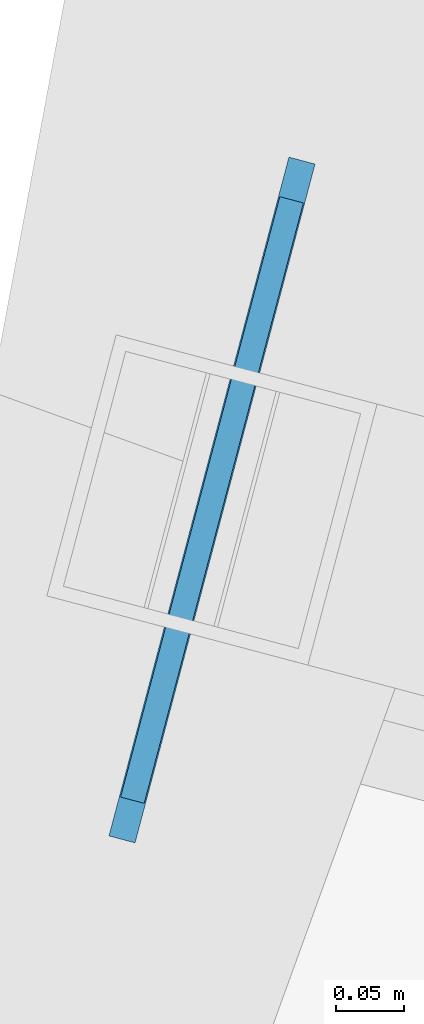
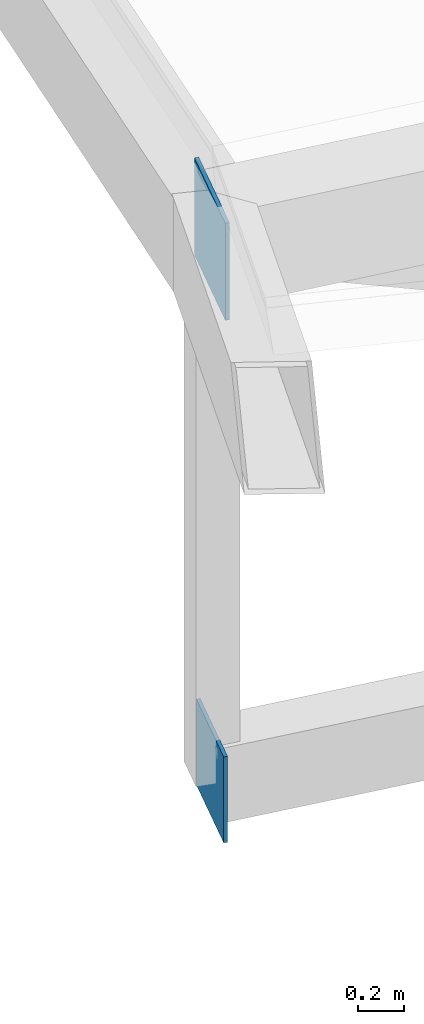
# One storey, part 124 of 143: 2 plates.
"""IFC4 building model written with IfcOpenShell, lengths in metres."""

import ifcopenshell
import ifcopenshell.guid

model = None  # the IFC model being written
_history = None  # IfcOwnerHistory: only IFC2X3 demands one
_inside = {}  # id of a spatial element -> (the spatial element, [elements in it])
_under = {}  # id of a project, library or spatial element -> (it, [spatial elements below it])
_declared = {}  # id of a project -> (the project, [libraries it declares])
_typed = {}  # id of a type object -> (the type object, [elements of that type])
_made_of = {}  # id of a material, layer set ... -> (it, [elements and type objects made of it])


def new_model(schema):
    """Start an empty IFC model of exactly this schema.

    Asked for "IFC4X3", IfcOpenShell would pick the latest addendum, in which some entities
    have other attributes; the version numbers below select the first issue.
    IFC2X3 requires an IfcOwnerHistory on every rooted entity: one is made here for all.
    """
    global model, _history
    if schema == "IFC4X3":
        model = ifcopenshell.file(schema_version=(4, 3, 0, 0))
    else:
        model = ifcopenshell.file(schema=schema)
    _inside.clear()
    _under.clear()
    _declared.clear()
    _typed.clear()
    _made_of.clear()
    _history = None
    if model.schema == "IFC2X3":
        org = make("IfcOrganization", Name="unknown")
        user = make(
            "IfcPersonAndOrganization",
            ThePerson=make("IfcPerson", FamilyName="unknown"),
            TheOrganization=org,
        )
        app = make(
            "IfcApplication",
            ApplicationDeveloper=org,
            Version="unknown",
            ApplicationFullName="unknown",
            ApplicationIdentifier="unknown",
        )
        _history = make(
            "IfcOwnerHistory",
            OwningUser=user,
            OwningApplication=app,
            ChangeAction="ADDED",
            CreationDate=0,
        )
    return model


def make(cls, **values):
    """One entity of the class cls with the attributes given. An attribute that is None is left unset."""
    return model.create_entity(
        cls, **{name: value for name, value in values.items() if value is not None}
    )


def rooted(cls, **values):
    """An entity with a GlobalId (a new one), such as an element, a storey or a relation."""
    return make(cls, GlobalId=ifcopenshell.guid.new(), OwnerHistory=_history, **values)


def si_unit(unit_type, name, prefix=None):
    """IfcSIUnit, for example si_unit("LENGTHUNIT", "METRE", prefix="MILLI")."""
    return make("IfcSIUnit", UnitType=unit_type, Prefix=prefix, Name=name)


def assignment(units):
    """IfcUnitAssignment: the units of a project."""
    return None if units is None else make("IfcUnitAssignment", Units=units)


def point(xyz):
    """IfcCartesianPoint."""
    return None if xyz is None else make("IfcCartesianPoint", Coordinates=xyz)


def direction(xyz):
    """IfcDirection."""
    return None if xyz is None else make("IfcDirection", DirectionRatios=xyz)


def frame(location, z_axis=None, x_axis=None):
    """IfcAxis2Placement3D, a coordinate frame: its origin and axes. An axis left out is left unset."""
    return make(
        "IfcAxis2Placement3D",
        Location=point(location),
        Axis=direction(z_axis),
        RefDirection=direction(x_axis),
    )


def frame_2d(location, x_axis=None):
    """IfcAxis2Placement2D, a coordinate frame in the plane: its origin and x axis."""
    return make(
        "IfcAxis2Placement2D", Location=point(location), RefDirection=direction(x_axis)
    )


def origin():
    """The frame at (0, 0, 0) with its axes left unset."""
    return frame((0.0, 0.0, 0.0))


def origin_2d():
    """The frame at (0, 0) in the plane with its x axis left unset."""
    return frame_2d((0.0, 0.0))


def place(relative_to, where):
    """IfcLocalPlacement: puts the frame where relative to a parent placement (None: the world)."""
    return make(
        "IfcLocalPlacement", PlacementRelTo=relative_to, RelativePlacement=where
    )


def context(
    kind, dimensions, precision=None, world=None, true_north=None, identifier=None
):
    """IfcGeometricRepresentationContext, for example the 3D "Model" context."""
    return make(
        "IfcGeometricRepresentationContext",
        ContextIdentifier=identifier,
        ContextType=kind,
        CoordinateSpaceDimension=dimensions,
        Precision=precision,
        WorldCoordinateSystem=world,
        TrueNorth=true_north,
    )


def subcontext(parent, identifier, kind, view, scale=None):
    """IfcGeometricRepresentationSubContext, for example "Body" below "Model"."""
    return make(
        "IfcGeometricRepresentationSubContext",
        ContextIdentifier=identifier,
        ContextType=kind,
        ParentContext=parent,
        TargetScale=scale,
        TargetView=view,
    )


def project(units=None, contexts=None):
    """IfcProject with its units and contexts."""
    return rooted(
        "IfcProject",
        Name="project",
        RepresentationContexts=contexts,
        UnitsInContext=assignment(units),
    )


def spatial(cls, under=None, at=None, **own):
    """A site, building, storey or space (cls), placed at a placement, below another one or the project."""
    s = rooted(cls, ObjectPlacement=at, **own)
    if under is not None:
        _under.setdefault(under.id(), (under, []))[1].append(s)
    return s


def profile(cls, at=None, kind="AREA", **sizes):
    """A parametric profile (cls). Its sizes go by their IFC names, for example OverallWidth=200.0."""
    return make(cls, ProfileType=kind, Position=at, **sizes)


def rectangle(**sizes):
    """IfcRectangleProfileDef."""
    return profile("IfcRectangleProfileDef", **sizes)


def extrude(swept, where, along, depth):
    """IfcExtrudedAreaSolid: the profile swept, set in the frame where, extruded along a direction by depth."""
    return make(
        "IfcExtrudedAreaSolid",
        SweptArea=swept,
        Position=where,
        ExtrudedDirection=direction(along),
        Depth=depth,
    )


def shape(context_of_items, identifier, shape_type, items):
    """IfcShapeRepresentation: the items that make up one representation, for example the "Body"."""
    return make(
        "IfcShapeRepresentation",
        ContextOfItems=context_of_items,
        RepresentationIdentifier=identifier,
        RepresentationType=shape_type,
        Items=items,
    )


def material(Name=None, Category=None):
    """IfcMaterial."""
    return make("IfcMaterial", Name=Name, Category=Category)


def layer(
    of_material, thickness, ventilated=None, Name=None, Category=None, Priority=None
):
    """IfcMaterialLayer: one layer of a wall or slab, of a material (None: an air gap)."""
    return make(
        "IfcMaterialLayer",
        Material=of_material,
        LayerThickness=thickness,
        IsVentilated=ventilated,
        Name=Name,
        Category=Category,
        Priority=Priority,
    )


def layer_set(layers, Name=None):
    """IfcMaterialLayerSet."""
    return make("IfcMaterialLayerSet", MaterialLayers=layers, LayerSetName=Name)


def made_of(thing, what):
    """Note that an element or type object is made of a material, layer set ...; save() writes the relation."""
    if what is not None:
        _made_of.setdefault(what.id(), (what, []))[1].append(thing)
    return thing


def type_object(cls, material=None, **own):
    """A type object (cls), such as IfcWallType, which elements share."""
    return made_of(rooted(cls, **own), material)


def element(
    cls,
    number,
    at=None,
    inside=None,
    cuts=None,
    type_object=None,
    material=None,
    context=None,
    identifier="Body",
    shape_type=None,
    held_by="IfcProductDefinitionShape",
    body=None,
    shapes=None,
    **own,
):
    """One element of the class cls, such as IfcWall. Its Tag is "e" and its number.

    at: its placement. inside: the storey or other place that contains it. cuts: it is an
    opening in that element (IfcRelVoidsElement). A single representation is given by context,
    identifier, shape_type and body (its items); several are given by shapes. held_by: the class
    of the entity that holds the representations. save() writes the other relations.
    """
    e = rooted(cls, Tag="e%d" % number, ObjectPlacement=at, **own)
    if body is not None:
        shapes = [shape(context, identifier, shape_type, body)]
    if shapes is not None:
        e.Representation = make(held_by, Representations=shapes)
    if inside is not None:
        _inside.setdefault(inside.id(), (inside, []))[1].append(e)
    if cuts is not None:
        rooted(
            "IfcRelVoidsElement", RelatingBuildingElement=cuts, RelatedOpeningElement=e
        )
    if type_object is not None:
        _typed.setdefault(type_object.id(), (type_object, []))[1].append(e)
    return made_of(e, material)


def aggregate(whole, parts):
    """IfcRelAggregates: a whole, such as a stair, and the parts it consists of."""
    return rooted("IfcRelAggregates", RelatingObject=whole, RelatedObjects=parts)


def save(model, path):
    """Write the relations noted so far, then the file.

    IfcRelAggregates (storeys below a building ...), IfcRelContainedInSpatialStructure (elements
    in a storey), IfcRelDefinesByType, IfcRelAssociatesMaterial and IfcRelDeclares: one each for
    every whole, place, type object, material and project.
    """
    for whole, parts in _under.values():
        aggregate(whole, parts)
    for where, things in _inside.values():
        rooted(
            "IfcRelContainedInSpatialStructure",
            RelatedElements=things,
            RelatingStructure=where,
        )
    for kind, things in _typed.values():
        rooted("IfcRelDefinesByType", RelatedObjects=things, RelatingType=kind)
    for what, things in _made_of.values():
        rooted("IfcRelAssociatesMaterial", RelatedObjects=things, RelatingMaterial=what)
    for by, libraries in _declared.values():
        rooted("IfcRelDeclares", RelatingContext=by, RelatedDefinitions=libraries)
    model.write(path)


model = new_model("IFC4")

# Units and contexts
model_context = context("Model", 3, precision=1e-05, world=origin(), true_north=direction((0.0, 1.0)))
body_context = subcontext(model_context, "Body", "Model", "MODEL_VIEW")
ifc_project = project(units=[si_unit("LENGTHUNIT", "METRE"), si_unit("AREAUNIT", "SQUARE_METRE"), si_unit("VOLUMEUNIT", "CUBIC_METRE"), si_unit("PLANEANGLEUNIT", "RADIAN"), si_unit("MASSUNIT", "GRAM", prefix="KILO")], contexts=[model_context])

# Site, building, storey
site_placement = place(None, origin())
site = spatial("IfcSite", under=ifc_project, at=site_placement, CompositionType="ELEMENT")
building_placement = place(site_placement, origin())
building = spatial("IfcBuilding", under=site, at=building_placement, Name="Mphavela Belvedere Stadium", CompositionType="ELEMENT")
storey_placement = place(building_placement, frame((0.0, 0.0, 28.800048828125)))
storey = spatial("IfcBuildingStorey", under=building, at=storey_placement, Name="RF", CompositionType="ELEMENT", Elevation=28.800048828125)

# Plates
ifc_material_1 = material(Name="Steel S355", Category="steel")
ifc_layer_1 = layer(ifc_material_1, 0.01806640625)
ifc_layer_set_1 = layer_set([ifc_layer_1], Name="Steel S355")
plate_type_1 = type_object("IfcPlateType", Name="PLT-CAP-TRUSS-BC", PredefinedType="USERDEFINED", material=ifc_layer_set_1)
plate_1_placement = place(storey_placement, frame((175.476806640625, 70.96240234375, -1.192626953125), z_axis=(0.0, 0.0, 1.0), x_axis=(0.966600102017, -0.256289373133, 0.0)))
element("IfcPlate", 1, at=plate_1_placement, inside=storey, type_object=plate_type_1, Name="Roof truss RT-47 hollow-end cap plate in_bc", ObjectType="GUSSET_PLATE", PredefinedType="USERDEFINED", context=body_context, shape_type="SweptSolid", body=[
    extrude(rectangle(XDim=0.01806640625, YDim=0.4599609375, at=origin_2d()), origin(), (0.0, 0.0, 1.0), 0.4599609375),
])
ifc_material_2 = material(Name="Steel S355", Category="steel")
ifc_layer_2 = layer(ifc_material_2, 0.02001953125)
ifc_layer_set_2 = layer_set([ifc_layer_2], Name="Steel S355")
plate_type_2 = type_object("IfcPlateType", Name="PLT-CAP-TRUSS-TC", PredefinedType="USERDEFINED", material=ifc_layer_set_2)
plate_2_placement = place(storey_placement, frame((175.476806640625, 70.96240234375, 1.627197265625), z_axis=(0.0, 0.0, 1.0), x_axis=(0.966600102017, -0.256289373133, 0.0)))
element("IfcPlate", 2, at=plate_2_placement, inside=storey, type_object=plate_type_2, Name="Roof truss RT-47 hollow-end cap plate in_tc", ObjectType="GUSSET_PLATE", PredefinedType="USERDEFINED", context=body_context, shape_type="SweptSolid", body=[
    extrude(rectangle(XDim=0.02001953125, YDim=0.52001953125, at=origin_2d()), origin(), (0.0, 0.0, 1.0), 0.52001953125),
])

save(model, "model.ifc")
